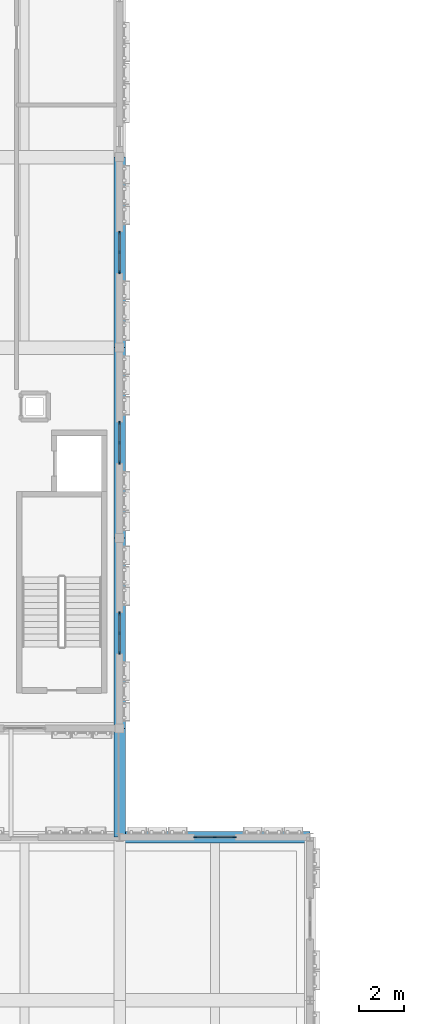
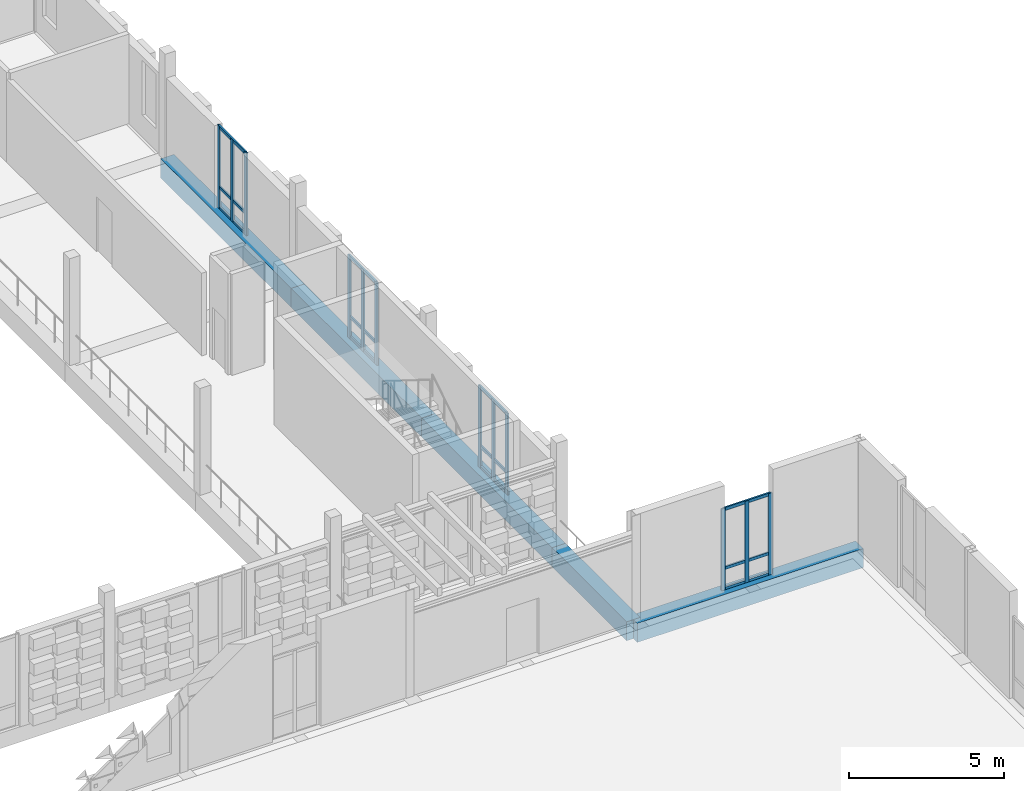
# One storey, part 20 of 99: 24 members, 5 beams, 4 elements without a shape of their own.
"""IFC4 building model written with IfcOpenShell, lengths in metres."""

from ifc_helpers import new_model, si_unit, direction, frame, origin, origin_2d, place, context, subcontext, project, spatial, rectangle, extrude, material, material_profile, profile_set, type_object, element, aggregate, save


model = new_model("IFC4")

# Units and contexts
model_context = context("Model", 3, precision=1e-05, world=origin(), true_north=direction((0.0, 1.0)))
body_context = subcontext(model_context, "Body", "Model", "MODEL_VIEW")
ifc_project = project(units=[si_unit("LENGTHUNIT", "METRE"), si_unit("AREAUNIT", "SQUARE_METRE"), si_unit("VOLUMEUNIT", "CUBIC_METRE"), si_unit("PLANEANGLEUNIT", "RADIAN"), si_unit("MASSUNIT", "GRAM", prefix="KILO")], contexts=[model_context])

# Site, building, storey
site_placement = place(None, origin())
site = spatial("IfcSite", under=ifc_project, at=site_placement, CompositionType="ELEMENT")
building_placement = place(site_placement, origin())
building = spatial("IfcBuilding", under=site, at=building_placement, Name="Kahlenmark Community Centre", CompositionType="ELEMENT")
storey_placement = place(building_placement, frame((0.0, 0.0, 5.39990234375)))
storey = spatial("IfcBuildingStorey", under=building, at=storey_placement, Name="L01", CompositionType="ELEMENT", Elevation=5.39990234375)

# Beams
ifc_material_1 = material(Name="Concrete C35/45", Category="concrete")
ifc_material_profile_1 = material_profile(ifc_material_1, rectangle(XDim=0.5, YDim=0.75, at=origin_2d()), Name="RC 500x750")
ifc_profile_set_1 = profile_set([ifc_material_profile_1], Name="Concrete C35/45")
beam_type = type_object("IfcBeamType", Name="BT-SPANDREL-RC500x750", PredefinedType="SPANDREL", material=ifc_profile_set_1)
beam_1_placement = place(storey_placement, frame((37.60009765625, 37.60009765625, -0.375), z_axis=(1.0, 0.0, 0.0), x_axis=(0.0, 1.0, 0.0)))
element("IfcBeam", 1, at=beam_1_placement, inside=storey, type_object=beam_type, Name="L01 spandrel SP-RC500x750", PredefinedType="SPANDREL", context=body_context, shape_type="SweptSolid", body=[
    extrude(rectangle(XDim=0.5, YDim=0.75, at=origin_2d()), origin(), (0.0, 0.0, 1.0), 8.39990234375),
])
beam_2_placement = place(storey_placement, frame((37.60009765625, 42.39990234375, -0.375), z_axis=(0.0, 1.0, 0.0), x_axis=(-1.0, 0.0, 0.0)))
element("IfcBeam", 2, at=beam_2_placement, inside=storey, type_object=beam_type, Name="L01 spandrel SP-RC500x750", PredefinedType="SPANDREL", context=body_context, shape_type="SweptSolid", body=[
    extrude(rectangle(XDim=0.5, YDim=0.75, at=origin_2d()), origin(), (0.0, 0.0, 1.0), 8.400146484375),
])
beam_3_placement = place(storey_placement, frame((37.60009765625, 50.800048828125, -0.375), z_axis=(0.0, 1.0, 0.0), x_axis=(-1.0, 0.0, 0.0)))
element("IfcBeam", 3, at=beam_3_placement, inside=storey, type_object=beam_type, Name="L01 spandrel SP-RC500x750", PredefinedType="SPANDREL", context=body_context, shape_type="SweptSolid", body=[
    extrude(rectangle(XDim=0.5, YDim=0.75, at=origin_2d()), origin(), (0.0, 0.0, 1.0), 8.39990234375),
])
beam_4_placement = place(storey_placement, frame((37.60009765625, 59.199951171875, -0.375), z_axis=(0.0, 1.0, 0.0), x_axis=(-1.0, 0.0, 0.0)))
element("IfcBeam", 4, at=beam_4_placement, inside=storey, type_object=beam_type, Name="L01 spandrel SP-RC500x750", PredefinedType="SPANDREL", context=body_context, shape_type="SweptSolid", body=[
    extrude(rectangle(XDim=0.5, YDim=0.75, at=origin_2d()), origin(), (0.0, 0.0, 1.0), 8.400146484375),
])
beam_5_placement = place(storey_placement, frame((37.60009765625, 37.60009765625, -0.375), z_axis=(0.0, 1.0, 0.0), x_axis=(-1.0, 0.0, 0.0)))
element("IfcBeam", 5, at=beam_5_placement, inside=storey, type_object=beam_type, Name="L01 spandrel SP-RC500x750", PredefinedType="SPANDREL", context=body_context, shape_type="SweptSolid", body=[
    extrude(rectangle(XDim=0.5, YDim=0.75, at=origin_2d()), origin(), (0.0, 0.0, 1.0), 4.7998046875),
])

# Curtain wall, members
ifc_material_2 = material(Name="Anodised aluminium unitised curtain wall", Category="aluminium")
curtain_wall_type_1 = type_object("IfcCurtainWallType", Name="CWT-UNIT-180X321", PredefinedType="USERDEFINED", material=ifc_material_2)
curtain_wall_1_placement = place(storey_placement, origin())
curtain_wall_1 = element("IfcCurtainWall", 6, at=curtain_wall_1_placement, inside=storey, type_object=curtain_wall_type_1, Name="Unitised curtain wall CW-005", ObjectType="UNITISED CURTAIN WALL", PredefinedType="USERDEFINED")
ifc_material_3 = material(Name="Anodised aluminium 6063-T6", Category="aluminium")
ifc_material_profile_2 = material_profile(ifc_material_3, rectangle(XDim=0.06005859375, YDim=0.139892578125, at=origin_2d()), Name="ALU MULLION 60x140")
ifc_profile_set_2 = profile_set([ifc_material_profile_2], Name="Anodised aluminium 6063-T6")
member_type_1 = type_object("IfcMemberType", Name="MT-MUL-140", PredefinedType="MULLION", material=ifc_profile_set_2)
member_1_placement = place(storey_placement, frame((42.669921875, 37.60009765625, 0.0), z_axis=(0.0, 0.0, 1.0), x_axis=(0.0, -1.0, 0.0)))
member_1 = element("IfcMember", 7, at=member_1_placement, type_object=member_type_1, Name="CW-005 mullion 1", PredefinedType="MULLION", context=body_context, shape_type="SweptSolid", body=[
    extrude(rectangle(XDim=0.06005859375, YDim=0.139892578125, at=origin_2d()), origin(), (0.0, 0.0, 1.0), 3.210205078125),
])
member_2_placement = place(storey_placement, frame((41.800048828125, 37.60009765625, 0.0), z_axis=(0.0, 0.0, 1.0), x_axis=(0.0, -1.0, 0.0)))
member_2 = element("IfcMember", 8, at=member_2_placement, type_object=member_type_1, Name="CW-005 mullion 2", PredefinedType="MULLION", context=body_context, shape_type="SweptSolid", body=[
    extrude(rectangle(XDim=0.06005859375, YDim=0.139892578125, at=origin_2d()), origin(), (0.0, 0.0, 1.0), 3.210205078125),
])
member_3_placement = place(storey_placement, frame((40.929931640625, 37.60009765625, 0.0), z_axis=(0.0, 0.0, 1.0), x_axis=(0.0, -1.0, 0.0)))
member_3 = element("IfcMember", 9, at=member_3_placement, type_object=member_type_1, Name="CW-005 mullion 3", PredefinedType="MULLION", context=body_context, shape_type="SweptSolid", body=[
    extrude(rectangle(XDim=0.06005859375, YDim=0.139892578125, at=origin_2d()), origin(), (0.0, 0.0, 1.0), 3.210205078125),
])

curtain_wall_2_placement = place(storey_placement, origin())
curtain_wall_2 = element("IfcCurtainWall", 10, at=curtain_wall_2_placement, inside=storey, type_object=curtain_wall_type_1, Name="Unitised curtain wall CW-016", ObjectType="UNITISED CURTAIN WALL", PredefinedType="USERDEFINED")
member_4_placement = place(storey_placement, frame((37.60009765625, 45.72998046875, 0.0), z_axis=(0.0, 0.0, 1.0), x_axis=(-1.0, 0.0, 0.0)))
member_4 = element("IfcMember", 11, at=member_4_placement, type_object=member_type_1, Name="CW-016 mullion 1", PredefinedType="MULLION", context=body_context, shape_type="SweptSolid", body=[
    extrude(rectangle(XDim=0.06005859375, YDim=0.139892578125, at=origin_2d()), origin(), (0.0, 0.0, 1.0), 3.210205078125),
])
member_5_placement = place(storey_placement, frame((37.60009765625, 46.60009765625, 0.0), z_axis=(0.0, 0.0, 1.0), x_axis=(-1.0, 0.0, 0.0)))
member_5 = element("IfcMember", 12, at=member_5_placement, type_object=member_type_1, Name="CW-016 mullion 2", PredefinedType="MULLION", context=body_context, shape_type="SweptSolid", body=[
    extrude(rectangle(XDim=0.06005859375, YDim=0.139892578125, at=origin_2d()), origin(), (0.0, 0.0, 1.0), 3.210205078125),
])
member_6_placement = place(storey_placement, frame((37.60009765625, 47.469970703125, 0.0), z_axis=(0.0, 0.0, 1.0), x_axis=(-1.0, 0.0, 0.0)))
member_6 = element("IfcMember", 13, at=member_6_placement, type_object=member_type_1, Name="CW-016 mullion 3", PredefinedType="MULLION", context=body_context, shape_type="SweptSolid", body=[
    extrude(rectangle(XDim=0.06005859375, YDim=0.139892578125, at=origin_2d()), origin(), (0.0, 0.0, 1.0), 3.210205078125),
])

curtain_wall_type_2 = type_object("IfcCurtainWallType", Name="CWT-UNIT-180X325", PredefinedType="USERDEFINED", material=ifc_material_2)
curtain_wall_3_placement = place(storey_placement, origin())
curtain_wall_3 = element("IfcCurtainWall", 14, at=curtain_wall_3_placement, inside=storey, type_object=curtain_wall_type_2, Name="Unitised curtain wall CW-017", ObjectType="UNITISED CURTAIN WALL", PredefinedType="USERDEFINED")
member_7_placement = place(storey_placement, frame((37.60009765625, 54.1298828125, 0.0), z_axis=(0.0, 0.0, 1.0), x_axis=(-1.0, 0.0, 0.0)))
member_7 = element("IfcMember", 15, at=member_7_placement, type_object=member_type_1, Name="CW-017 mullion 1", PredefinedType="MULLION", context=body_context, shape_type="SweptSolid", body=[
    extrude(rectangle(XDim=0.06005859375, YDim=0.139892578125, at=origin_2d()), origin(), (0.0, 0.0, 1.0), 3.25),
])
member_8_placement = place(storey_placement, frame((37.60009765625, 55.0, 0.0), z_axis=(0.0, 0.0, 1.0), x_axis=(-1.0, 0.0, 0.0)))
member_8 = element("IfcMember", 16, at=member_8_placement, type_object=member_type_1, Name="CW-017 mullion 2", PredefinedType="MULLION", context=body_context, shape_type="SweptSolid", body=[
    extrude(rectangle(XDim=0.06005859375, YDim=0.139892578125, at=origin_2d()), origin(), (0.0, 0.0, 1.0), 3.25),
])
member_9_placement = place(storey_placement, frame((37.60009765625, 55.8701171875, 0.0), z_axis=(0.0, 0.0, 1.0), x_axis=(-1.0, 0.0, 0.0)))
member_9 = element("IfcMember", 17, at=member_9_placement, type_object=member_type_1, Name="CW-017 mullion 3", PredefinedType="MULLION", context=body_context, shape_type="SweptSolid", body=[
    extrude(rectangle(XDim=0.06005859375, YDim=0.139892578125, at=origin_2d()), origin(), (0.0, 0.0, 1.0), 3.25),
])

curtain_wall_4_placement = place(storey_placement, origin())
curtain_wall_4 = element("IfcCurtainWall", 18, at=curtain_wall_4_placement, inside=storey, type_object=curtain_wall_type_2, Name="Unitised curtain wall CW-018", ObjectType="UNITISED CURTAIN WALL", PredefinedType="USERDEFINED")
member_10_placement = place(storey_placement, frame((37.60009765625, 62.530029296875, 0.0), z_axis=(0.0, 0.0, 1.0), x_axis=(-1.0, 0.0, 0.0)))
member_10 = element("IfcMember", 19, at=member_10_placement, type_object=member_type_1, Name="CW-018 mullion 1", PredefinedType="MULLION", context=body_context, shape_type="SweptSolid", body=[
    extrude(rectangle(XDim=0.06005859375, YDim=0.139892578125, at=origin_2d()), origin(), (0.0, 0.0, 1.0), 3.25),
])
member_11_placement = place(storey_placement, frame((37.60009765625, 63.39990234375, 0.0), z_axis=(0.0, 0.0, 1.0), x_axis=(-1.0, 0.0, 0.0)))
member_11 = element("IfcMember", 20, at=member_11_placement, type_object=member_type_1, Name="CW-018 mullion 2", PredefinedType="MULLION", context=body_context, shape_type="SweptSolid", body=[
    extrude(rectangle(XDim=0.06005859375, YDim=0.139892578125, at=origin_2d()), origin(), (0.0, 0.0, 1.0), 3.25),
])
member_12_placement = place(storey_placement, frame((37.60009765625, 64.27001953125, 0.0), z_axis=(0.0, 0.0, 1.0), x_axis=(-1.0, 0.0, 0.0)))
member_12 = element("IfcMember", 21, at=member_12_placement, type_object=member_type_1, Name="CW-018 mullion 3", PredefinedType="MULLION", context=body_context, shape_type="SweptSolid", body=[
    extrude(rectangle(XDim=0.06005859375, YDim=0.139892578125, at=origin_2d()), origin(), (0.0, 0.0, 1.0), 3.25),
])

# Member
ifc_material_profile_3 = material_profile(ifc_material_3, rectangle(XDim=0.06005859375, YDim=0.1201171875, at=origin_2d()), Name="ALU TRANSOM 60x120")
ifc_profile_set_3 = profile_set([ifc_material_profile_3], Name="Anodised aluminium 6063-T6")
member_type_2 = type_object("IfcMemberType", Name="MT-TRN-120", PredefinedType="USERDEFINED", material=ifc_profile_set_3)
member_13_placement = place(storey_placement, frame((42.669921875, 37.60009765625, 0.0400390625), z_axis=(-1.0, 0.0, 0.0), x_axis=(0.0, -1.0, 0.0)))
member_13 = element("IfcMember", 22, at=member_13_placement, type_object=member_type_2, Name="CW-005 transom 1", ObjectType="TRANSOM", PredefinedType="USERDEFINED", context=body_context, shape_type="SweptSolid", body=[
    extrude(rectangle(XDim=0.06005859375, YDim=0.1201171875, at=origin_2d()), origin(), (0.0, 0.0, 1.0), 1.739990234375),
])

member_14_placement = place(storey_placement, frame((42.669921875, 37.60009765625, 0.85009765625), z_axis=(-1.0, 0.0, 0.0), x_axis=(0.0, -1.0, 0.0)))
member_14 = element("IfcMember", 23, at=member_14_placement, type_object=member_type_2, Name="CW-005 transom 2", ObjectType="TRANSOM", PredefinedType="USERDEFINED", context=body_context, shape_type="SweptSolid", body=[
    extrude(rectangle(XDim=0.06005859375, YDim=0.1201171875, at=origin_2d()), origin(), (0.0, 0.0, 1.0), 1.739990234375),
])

member_15_placement = place(storey_placement, frame((42.669921875, 37.60009765625, 3.170166015625), z_axis=(-1.0, 0.0, 0.0), x_axis=(0.0, -1.0, 0.0)))
member_15 = element("IfcMember", 24, at=member_15_placement, type_object=member_type_2, Name="CW-005 transom 3", ObjectType="TRANSOM", PredefinedType="USERDEFINED", context=body_context, shape_type="SweptSolid", body=[
    extrude(rectangle(XDim=0.06005859375, YDim=0.1201171875, at=origin_2d()), origin(), (0.0, 0.0, 1.0), 1.739990234375),
])

aggregate(curtain_wall_1, [member_1, member_2, member_3, member_13, member_14, member_15])

member_16_placement = place(storey_placement, frame((37.60009765625, 45.72998046875, 0.0400390625), z_axis=(0.0, 1.0, 0.0), x_axis=(-1.0, 0.0, 0.0)))
member_16 = element("IfcMember", 25, at=member_16_placement, type_object=member_type_2, Name="CW-016 transom 1", ObjectType="TRANSOM", PredefinedType="USERDEFINED", context=body_context, shape_type="SweptSolid", body=[
    extrude(rectangle(XDim=0.06005859375, YDim=0.1201171875, at=origin_2d()), origin(), (0.0, 0.0, 1.0), 1.739990234375),
])

member_17_placement = place(storey_placement, frame((37.60009765625, 45.72998046875, 0.85009765625), z_axis=(0.0, 1.0, 0.0), x_axis=(-1.0, 0.0, 0.0)))
member_17 = element("IfcMember", 26, at=member_17_placement, type_object=member_type_2, Name="CW-016 transom 2", ObjectType="TRANSOM", PredefinedType="USERDEFINED", context=body_context, shape_type="SweptSolid", body=[
    extrude(rectangle(XDim=0.06005859375, YDim=0.1201171875, at=origin_2d()), origin(), (0.0, 0.0, 1.0), 1.739990234375),
])

member_18_placement = place(storey_placement, frame((37.60009765625, 45.72998046875, 3.170166015625), z_axis=(0.0, 1.0, 0.0), x_axis=(-1.0, 0.0, 0.0)))
member_18 = element("IfcMember", 27, at=member_18_placement, type_object=member_type_2, Name="CW-016 transom 3", ObjectType="TRANSOM", PredefinedType="USERDEFINED", context=body_context, shape_type="SweptSolid", body=[
    extrude(rectangle(XDim=0.06005859375, YDim=0.1201171875, at=origin_2d()), origin(), (0.0, 0.0, 1.0), 1.739990234375),
])

aggregate(curtain_wall_2, [member_4, member_5, member_6, member_16, member_17, member_18])

member_19_placement = place(storey_placement, frame((37.60009765625, 54.1298828125, 0.0400390625), z_axis=(0.0, 1.0, 0.0), x_axis=(-1.0, 0.0, 0.0)))
member_19 = element("IfcMember", 28, at=member_19_placement, type_object=member_type_2, Name="CW-017 transom 1", ObjectType="TRANSOM", PredefinedType="USERDEFINED", context=body_context, shape_type="SweptSolid", body=[
    extrude(rectangle(XDim=0.06005859375, YDim=0.1201171875, at=origin_2d()), origin(), (0.0, 0.0, 1.0), 1.740234375),
])

member_20_placement = place(storey_placement, frame((37.60009765625, 54.1298828125, 0.85009765625), z_axis=(0.0, 1.0, 0.0), x_axis=(-1.0, 0.0, 0.0)))
member_20 = element("IfcMember", 29, at=member_20_placement, type_object=member_type_2, Name="CW-017 transom 2", ObjectType="TRANSOM", PredefinedType="USERDEFINED", context=body_context, shape_type="SweptSolid", body=[
    extrude(rectangle(XDim=0.06005859375, YDim=0.1201171875, at=origin_2d()), origin(), (0.0, 0.0, 1.0), 1.740234375),
])

member_21_placement = place(storey_placement, frame((37.60009765625, 54.1298828125, 3.210205078125), z_axis=(0.0, 1.0, 0.0), x_axis=(-1.0, 0.0, 0.0)))
member_21 = element("IfcMember", 30, at=member_21_placement, type_object=member_type_2, Name="CW-017 transom 3", ObjectType="TRANSOM", PredefinedType="USERDEFINED", context=body_context, shape_type="SweptSolid", body=[
    extrude(rectangle(XDim=0.06005859375, YDim=0.1201171875, at=origin_2d()), origin(), (0.0, 0.0, 1.0), 1.740234375),
])

aggregate(curtain_wall_3, [member_7, member_8, member_9, member_19, member_20, member_21])

member_22_placement = place(storey_placement, frame((37.60009765625, 62.530029296875, 0.0400390625), z_axis=(0.0, 1.0, 0.0), x_axis=(-1.0, 0.0, 0.0)))
member_22 = element("IfcMember", 31, at=member_22_placement, type_object=member_type_2, Name="CW-018 transom 1", ObjectType="TRANSOM", PredefinedType="USERDEFINED", context=body_context, shape_type="SweptSolid", body=[
    extrude(rectangle(XDim=0.06005859375, YDim=0.1201171875, at=origin_2d()), origin(), (0.0, 0.0, 1.0), 1.739990234375),
])

member_23_placement = place(storey_placement, frame((37.60009765625, 62.530029296875, 0.85009765625), z_axis=(0.0, 1.0, 0.0), x_axis=(-1.0, 0.0, 0.0)))
member_23 = element("IfcMember", 32, at=member_23_placement, type_object=member_type_2, Name="CW-018 transom 2", ObjectType="TRANSOM", PredefinedType="USERDEFINED", context=body_context, shape_type="SweptSolid", body=[
    extrude(rectangle(XDim=0.06005859375, YDim=0.1201171875, at=origin_2d()), origin(), (0.0, 0.0, 1.0), 1.739990234375),
])

member_24_placement = place(storey_placement, frame((37.60009765625, 62.530029296875, 3.210205078125), z_axis=(0.0, 1.0, 0.0), x_axis=(-1.0, 0.0, 0.0)))
member_24 = element("IfcMember", 33, at=member_24_placement, type_object=member_type_2, Name="CW-018 transom 3", ObjectType="TRANSOM", PredefinedType="USERDEFINED", context=body_context, shape_type="SweptSolid", body=[
    extrude(rectangle(XDim=0.06005859375, YDim=0.1201171875, at=origin_2d()), origin(), (0.0, 0.0, 1.0), 1.739990234375),
])

aggregate(curtain_wall_4, [member_10, member_11, member_12, member_22, member_23, member_24])

save(model, "model.ifc")
